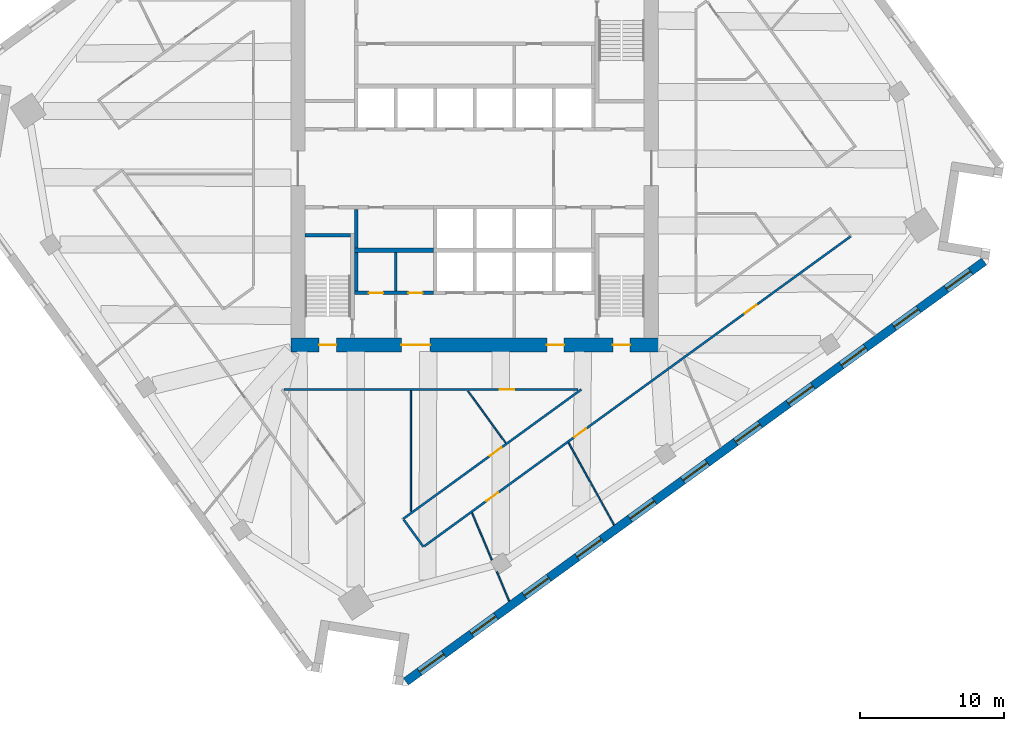
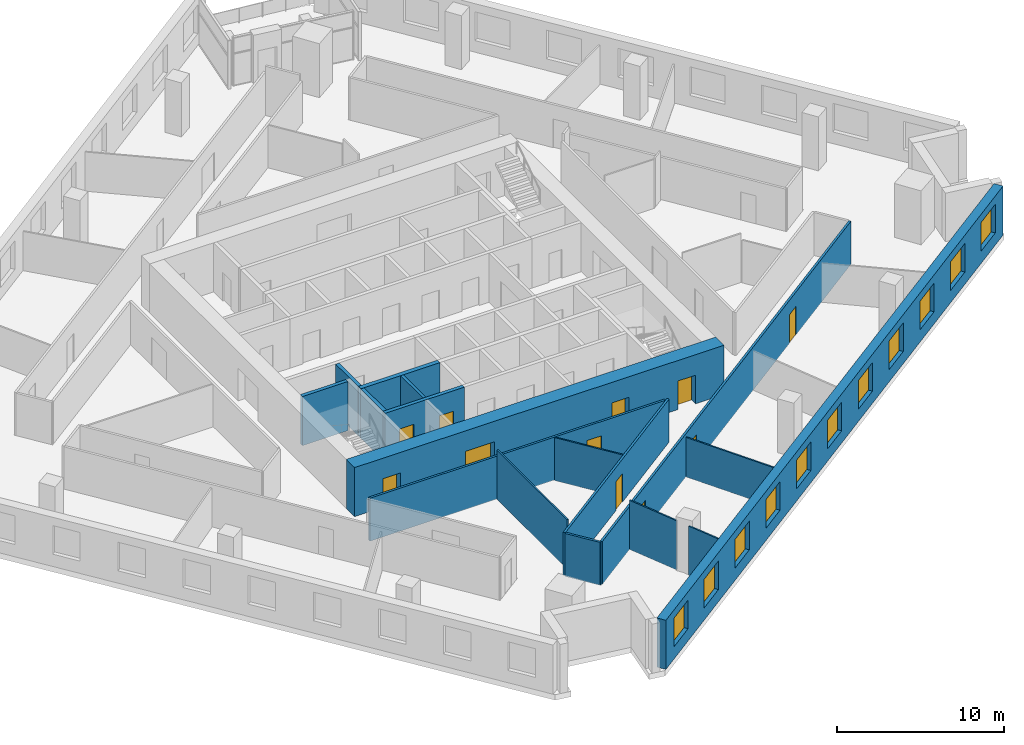
# One storey, part 5 of 11: 17 walls, 11 doors, 11 windows, 22 openings.
"""IFC4 building model written with IfcOpenShell, lengths in metres."""

from ifc_helpers import new_model, si_unit, direction, frame, frame_2d, origin, place, context, subcontext, project, spatial, rectangle, extrude, material, layer, layer_set, type_object, element, fill, save


model = new_model("IFC4")

# Units and contexts
model_context = context("Model", 3, precision=1e-05, world=origin(), true_north=direction((0.0, 1.0)))
body_context = subcontext(model_context, "Body", "Model", "MODEL_VIEW")
ifc_project = project(units=[si_unit("LENGTHUNIT", "METRE"), si_unit("AREAUNIT", "SQUARE_METRE"), si_unit("VOLUMEUNIT", "CUBIC_METRE"), si_unit("PLANEANGLEUNIT", "RADIAN"), si_unit("MASSUNIT", "GRAM", prefix="KILO")], contexts=[model_context])

# Site, building, storey
site_placement = place(None, origin())
site = spatial("IfcSite", under=ifc_project, at=site_placement, CompositionType="ELEMENT")
building_placement = place(site_placement, origin())
building = spatial("IfcBuilding", under=site, at=building_placement, Name="Dilmun Exchange Tower", CompositionType="ELEMENT")
storey_placement = place(building_placement, frame((0.0, 0.0, 171.699951171875)))
storey = spatial("IfcBuildingStorey", under=building, at=storey_placement, Name="L40", CompositionType="ELEMENT", Elevation=171.699951171875)

# Wall
ifc_material_1 = material(Name="Concrete C40/50", Category="concrete")
ifc_layer_1 = layer(ifc_material_1, 0.199951171875)
ifc_layer_set_1 = layer_set([ifc_layer_1], Name="Concrete C40/50")
wall_type_1 = type_object("IfcWallType", Name="Core partition wall 200", PredefinedType="PARTITIONING", material=ifc_layer_set_1)
wall_1_placement = place(storey_placement, frame((-5.5, -8.544921875, 0.0), z_axis=(0.0, 0.0, 1.0), x_axis=(0.0, 1.0, 0.0)))
element("IfcWall", 1, at=wall_1_placement, inside=storey, type_object=wall_type_1, Name="L40 core partition wall 05", PredefinedType="PARTITIONING", context=body_context, shape_type="SweptSolid", body=[
    extrude(rectangle(XDim=2.68994140625, YDim=0.199951171875, at=frame_2d((1.344970703125, 0.0))), origin(), (0.0, 0.0, 1.0), 3.60009765625),
])

# Wall, openings, doors
ifc_layer_2 = layer(ifc_material_1, 0.25)
ifc_layer_set_2 = layer_set([ifc_layer_2], Name="Concrete C40/50")
wall_type_2 = type_object("IfcWallType", Name="Core partition wall 250", PredefinedType="PARTITIONING", material=ifc_layer_set_2)
wall_2_placement = place(storey_placement, frame((-8.3701171875, -8.675048828125, 0.0), z_axis=(0.0, 0.0, 1.0), x_axis=(1.0, 0.0, 0.0)))
wall_2 = element("IfcWall", 2, at=wall_2_placement, inside=storey, type_object=wall_type_2, Name="L40 core partition wall 03", PredefinedType="PARTITIONING", context=body_context, shape_type="SweptSolid", body=[
    extrude(rectangle(XDim=5.490234375, YDim=0.25, at=frame_2d((2.7451171875, 0.0))), origin(), (0.0, 0.0, 1.0), 3.60009765625),
])
opening_1_placement = place(wall_2_placement, frame((0.9951171875, 0.0, 0.0)))
opening_1 = element("IfcOpeningElement", 3, at=opening_1_placement, cuts=wall_2, Name="Opening CD4", PredefinedType="OPENING", context=body_context, shape_type="SweptSolid", body=[
    extrude(rectangle(XDim=1.0, YDim=2.10009765625, at=frame_2d((0.5, 1.050048828125))), frame((0.0, 0.135009765625, 0.0), z_axis=(0.0, -1.0, 0.0), x_axis=(1.0, 0.0, 0.0)), (0.0, 0.0, 1.0), 0.27001953125),
])
opening_2_placement = place(wall_2_placement, frame((3.7451171875, 0.0, 0.0)))
opening_2 = element("IfcOpeningElement", 4, at=opening_2_placement, cuts=wall_2, Name="Opening CD4", PredefinedType="OPENING", context=body_context, shape_type="SweptSolid", body=[
    extrude(rectangle(XDim=1.0, YDim=2.10009765625, at=frame_2d((0.5, 1.050048828125))), frame((0.0, 0.135009765625, 0.0), z_axis=(0.0, -1.0, 0.0), x_axis=(1.0, 0.0, 0.0)), (0.0, 0.0, 1.0), 0.27001953125),
])
ifc_material_2 = material(Name="Fire-rated steel door set", Category="steel")
door_type_1 = type_object("IfcDoorType", Name="Core room door 1000x2100", OperationType="SINGLE_SWING_LEFT", PredefinedType="DOOR", material=ifc_material_2)
door_1_placement = place(opening_1_placement, origin())
door_1 = element("IfcDoor", 5, at=door_1_placement, inside=storey, type_object=door_type_1, Name="L40 door Male WC", OperationType="SINGLE_SWING_LEFT", OverallHeight=2.10009765625, OverallWidth=1.0, PredefinedType="DOOR", context=body_context, shape_type="SweptSolid", body=[
    extrude(rectangle(XDim=1.0, YDim=2.10009765625, at=frame_2d((0.5, 1.050048828125))), frame((0.0, 0.02490234375, 0.0), z_axis=(0.0, -1.0, 0.0), x_axis=(1.0, 0.0, 0.0)), (0.0, 0.0, 1.0), 0.050048828125),
])
fill(opening_1, door_1)
door_2_placement = place(opening_2_placement, origin())
door_2 = element("IfcDoor", 6, at=door_2_placement, inside=storey, type_object=door_type_1, Name="L40 door Female WC", OperationType="SINGLE_SWING_LEFT", OverallHeight=2.10009765625, OverallWidth=1.0, PredefinedType="DOOR", context=body_context, shape_type="SweptSolid", body=[
    extrude(rectangle(XDim=1.0, YDim=2.10009765625, at=frame_2d((0.5, 1.050048828125))), frame((0.0, 0.02490234375, 0.0), z_axis=(0.0, -1.0, 0.0), x_axis=(1.0, 0.0, 0.0)), (0.0, 0.0, 1.0), 0.050048828125),
])
fill(opening_2, door_2)

# Walls
for number, where, z_axis, x_axis, name in (
    (7, (-8.25, -8.544921875, 0.0), (0.0, 0.0, 1.0), (0.0, 1.0, 0.0), "L40 core partition wall 04"),
    (8, (-8.25, -5.544921875, 0.0), (0.0, 0.0, 1.0), (0.0, 1.0, 0.0), "L40 core partition wall 07"),
):
    element("IfcWall", number, at=place(storey_placement, frame(where, z_axis=z_axis, x_axis=x_axis)), inside=storey, type_object=wall_type_2, Name=name, PredefinedType="PARTITIONING", context=body_context, shape_type="SweptSolid", body=[
        extrude(rectangle(XDim=2.68994140625, YDim=0.25, at=frame_2d((1.344970703125, 0.0))), origin(), (0.0, 0.0, 1.0), 3.60009765625),
    ])
ifc_layer_3 = layer(ifc_material_1, 0.300048828125)
ifc_layer_set_3 = layer_set([ifc_layer_3], Name="Concrete C40/50")
wall_type_3 = type_object("IfcWallType", Name="Core partition wall 300", PredefinedType="PARTITIONING", material=ifc_layer_set_3)
wall_3_placement = place(storey_placement, frame((-8.35009765625, -5.699951171875, 0.0), z_axis=(0.0, 0.0, 1.0), x_axis=(1.0, 0.0, 0.0)))
element("IfcWall", 9, at=wall_3_placement, inside=storey, type_object=wall_type_3, Name="L40 core partition wall 06", PredefinedType="PARTITIONING", context=body_context, shape_type="SweptSolid", body=[
    extrude(rectangle(XDim=5.47021484375, YDim=0.300048828125, at=frame_2d((2.735107421875, 0.0))), origin(), (0.0, 0.0, 1.0), 3.60009765625),
])

# Wall, openings, doors
ifc_material_3 = material(Name="Concrete C70/85", Category="concrete")
ifc_layer_4 = layer(ifc_material_3, 1.0)
ifc_layer_set_4 = layer_set([ifc_layer_4], Name="Concrete C70/85")
wall_type_4 = type_object("IfcWallType", Name="Core shear wall 1000 Concrete C70/85", PredefinedType="SHEAR", material=ifc_layer_set_4)
wall_4_placement = place(storey_placement, frame((-12.800048828125, -12.300048828125, 0.0), z_axis=(0.0, 0.0, 1.0), x_axis=(1.0, 0.0, 0.0)))
wall_4 = element("IfcWall", 10, at=wall_4_placement, inside=storey, type_object=wall_type_4, Name="L40 core shear wall S", PredefinedType="SHEAR", context=body_context, shape_type="SweptSolid", body=[
    extrude(rectangle(XDim=25.60009765625, YDim=1.0, at=frame_2d((12.800048828125, 0.0))), origin(), (0.0, 0.0, 1.0), 3.60009765625),
])
opening_3_placement = place(wall_4_placement, frame((7.699951171875, 0.0, 0.0)))
opening_3 = element("IfcOpeningElement", 11, at=opening_3_placement, cuts=wall_4, Name="Opening CD2", PredefinedType="OPENING", context=body_context, shape_type="SweptSolid", body=[
    extrude(rectangle(XDim=2.0, YDim=2.10009765625, at=frame_2d((1.0, 1.050048828125))), frame((0.0, 0.510009765625, 0.0), z_axis=(0.0, -1.0, 0.0), x_axis=(1.0, 0.0, 0.0)), (0.0, 0.0, 1.0), 1.02001953125),
])
opening_4_placement = place(wall_4_placement, frame((17.824951171875, 0.0, 0.0)))
opening_4 = element("IfcOpeningElement", 12, at=opening_4_placement, cuts=wall_4, Name="Opening CD3", PredefinedType="OPENING", context=body_context, shape_type="SweptSolid", body=[
    extrude(rectangle(XDim=1.199951171875, YDim=2.10009765625, at=frame_2d((0.60009765625, 1.050048828125))), frame((0.0, 0.510009765625, 0.0), z_axis=(0.0, -1.0, 0.0), x_axis=(1.0, 0.0, 0.0)), (0.0, 0.0, 1.0), 1.02001953125),
])
opening_5_placement = place(wall_4_placement, frame((1.97509765625, 0.0, 0.0)))
opening_5 = element("IfcOpeningElement", 13, at=opening_5_placement, cuts=wall_4, Name="Opening CD3", PredefinedType="OPENING", context=body_context, shape_type="SweptSolid", body=[
    extrude(rectangle(XDim=1.199951171875, YDim=2.10009765625, at=frame_2d((0.60009765625, 1.050048828125))), frame((0.0, 0.510009765625, 0.0), z_axis=(0.0, -1.0, 0.0), x_axis=(1.0, 0.0, 0.0)), (0.0, 0.0, 1.0), 1.02001953125),
])
opening_6_placement = place(wall_4_placement, frame((22.425048828125, 0.0, 0.0)))
opening_6 = element("IfcOpeningElement", 14, at=opening_6_placement, cuts=wall_4, Name="Opening CD3", PredefinedType="OPENING", context=body_context, shape_type="SweptSolid", body=[
    extrude(rectangle(XDim=1.199951171875, YDim=2.10009765625, at=frame_2d((0.60009765625, 1.050048828125))), frame((0.0, 0.510009765625, 0.0), z_axis=(0.0, -1.0, 0.0), x_axis=(1.0, 0.0, 0.0)), (0.0, 0.0, 1.0), 1.02001953125),
])
door_type_2 = type_object("IfcDoorType", Name="Core service door 2000x2100", OperationType="DOUBLE_DOOR_DOUBLE_SWING", PredefinedType="DOOR", material=ifc_material_2)
door_3_placement = place(opening_3_placement, origin())
door_3 = element("IfcDoor", 15, at=door_3_placement, inside=storey, type_object=door_type_2, Name="L40 door South service lobby", OperationType="SINGLE_SWING_LEFT", OverallHeight=2.10009765625, OverallWidth=2.0, PredefinedType="DOOR", context=body_context, shape_type="SweptSolid", body=[
    extrude(rectangle(XDim=2.0, YDim=2.10009765625, at=frame_2d((1.0, 1.050048828125))), frame((0.0, 0.02490234375, 0.0), z_axis=(0.0, -1.0, 0.0), x_axis=(1.0, 0.0, 0.0)), (0.0, 0.0, 1.0), 0.050048828125),
])
fill(opening_3, door_3)
door_type_3 = type_object("IfcDoorType", Name="Stair exit door 1200x2100", OperationType="SINGLE_SWING_LEFT", PredefinedType="DOOR", material=ifc_material_2)
door_4_placement = place(opening_4_placement, origin())
door_4 = element("IfcDoor", 16, at=door_4_placement, inside=storey, type_object=door_type_3, Name="L40 door Fire-fighting lobby", OperationType="SINGLE_SWING_LEFT", OverallHeight=2.10009765625, OverallWidth=1.199951171875, PredefinedType="DOOR", context=body_context, shape_type="SweptSolid", body=[
    extrude(rectangle(XDim=1.199951171875, YDim=2.10009765625, at=frame_2d((0.60009765625, 1.050048828125))), frame((0.0, 0.02490234375, 0.0), z_axis=(0.0, -1.0, 0.0), x_axis=(1.0, 0.0, 0.0)), (0.0, 0.0, 1.0), 0.050048828125),
])
fill(opening_4, door_4)
door_5_placement = place(opening_5_placement, origin())
door_5 = element("IfcDoor", 17, at=door_5_placement, inside=storey, type_object=door_type_3, Name="L40 door Stair ST2", OperationType="SINGLE_SWING_LEFT", OverallHeight=2.10009765625, OverallWidth=1.199951171875, PredefinedType="DOOR", context=body_context, shape_type="SweptSolid", body=[
    extrude(rectangle(XDim=1.199951171875, YDim=2.10009765625, at=frame_2d((0.60009765625, 1.050048828125))), frame((0.0, 0.02490234375, 0.0), z_axis=(0.0, -1.0, 0.0), x_axis=(1.0, 0.0, 0.0)), (0.0, 0.0, 1.0), 0.050048828125),
])
fill(opening_5, door_5)
door_6_placement = place(opening_6_placement, origin())
door_6 = element("IfcDoor", 18, at=door_6_placement, inside=storey, type_object=door_type_3, Name="L40 door Stair ST3", OperationType="SINGLE_SWING_LEFT", OverallHeight=2.10009765625, OverallWidth=1.199951171875, PredefinedType="DOOR", context=body_context, shape_type="SweptSolid", body=[
    extrude(rectangle(XDim=1.199951171875, YDim=2.10009765625, at=frame_2d((0.60009765625, 1.050048828125))), frame((0.0, 0.02490234375, 0.0), z_axis=(0.0, -1.0, 0.0), x_axis=(1.0, 0.0, 0.0)), (0.0, 0.0, 1.0), 0.050048828125),
])
fill(opening_6, door_6)

# Wall, opening, door
ifc_material_4 = material(Name="Corridor wall 150")
ifc_layer_5 = layer(ifc_material_4, 0.14990234375)
ifc_layer_set_5 = layer_set([ifc_layer_5], Name="Corridor wall 150")
wall_type_5 = type_object("IfcWallType", Name="Corridor wall 150", PredefinedType="PARTITIONING", material=ifc_layer_set_5)
wall_5_placement = place(storey_placement, frame((-13.288818359375, -15.39990234375, 0.0), z_axis=(0.0, 0.0, 1.0), x_axis=(1.0, 0.0, 0.0)))
wall_5 = element("IfcWall", 19, at=wall_5_placement, inside=storey, type_object=wall_type_5, Name="Corridor wall", PredefinedType="PARTITIONING", context=body_context, shape_type="SweptSolid", body=[
    extrude(rectangle(XDim=20.47998046875, YDim=0.14990234375, at=frame_2d((10.239990234375, 0.0))), origin(), (0.0, 0.0, 1.0), 3.150146484375),
])
opening_7_placement = place(wall_5_placement, frame((15.041259765625, 0.0, 0.0)))
opening_7 = element("IfcOpeningElement", 20, at=opening_7_placement, cuts=wall_5, Name="Opening TF38-D11", PredefinedType="OPENING", context=body_context, shape_type="SweptSolid", body=[
    extrude(rectangle(XDim=1.0, YDim=2.10009765625, at=frame_2d((0.5, 1.050048828125))), frame((0.0, 0.0849609375, 0.0), z_axis=(0.0, -1.0, 0.0), x_axis=(1.0, 0.0, 0.0)), (0.0, 0.0, 1.0), 0.169921875),
])
ifc_material_5 = material(Name="Fire door 1000 x 2100")
door_type_4 = type_object("IfcDoorType", Name="Fire door 1000 x 2100", OperationType="NOTDEFINED", PredefinedType="DOOR", material=ifc_material_5)
door_7_placement = place(opening_7_placement, frame((1.0, 0.0, 0.0), z_axis=(0.0, 0.0, 1.0), x_axis=(-1.0, 0.0, 0.0)))
door_7 = element("IfcDoor", 21, at=door_7_placement, inside=storey, type_object=door_type_4, Name="Door TF38-D11", OperationType="SINGLE_SWING_LEFT", OverallHeight=2.10009765625, OverallWidth=1.0, PredefinedType="DOOR", context=body_context, shape_type="SweptSolid", body=[
    extrude(rectangle(XDim=1.0, YDim=2.10009765625, at=frame_2d((0.5, 1.050048828125))), frame((0.0, 0.02490234375, 0.0), z_axis=(0.0, -1.0, 0.0), x_axis=(1.0, 0.0, 0.0)), (0.0, 0.0, 1.0), 0.050048828125),
])
fill(opening_7, door_7)

wall_6_placement = place(storey_placement, frame((-4.97998046875, -24.410888671875, 0.0), z_axis=(0.0, 0.0, 1.0), x_axis=(0.809006648498, 0.587799491907, 0.0)))
wall_6 = element("IfcWall", 22, at=wall_6_placement, inside=storey, type_object=wall_type_5, Name="Corridor wall", PredefinedType="PARTITIONING", context=body_context, shape_type="SweptSolid", body=[
    extrude(rectangle(XDim=15.330078125, YDim=0.14990234375, at=frame_2d((7.6650390625, 0.0))), origin(), (0.0, 0.0, 1.0), 3.150146484375),
])
opening_8_placement = place(wall_6_placement, frame((7.46435546875, 0.0, 0.0)))
opening_8 = element("IfcOpeningElement", 23, at=opening_8_placement, cuts=wall_6, Name="Opening TF38-D09", PredefinedType="OPENING", context=body_context, shape_type="SweptSolid", body=[
    extrude(rectangle(XDim=1.0, YDim=2.10009765625, at=frame_2d((0.5, 1.050048828125))), frame((0.0, 0.0849609375, 0.0), z_axis=(0.0, -1.0, 0.0), x_axis=(1.0, 0.0, 0.0)), (0.0, 0.0, 1.0), 0.169921875),
])
door_8_placement = place(opening_8_placement, origin())
door_8 = element("IfcDoor", 24, at=door_8_placement, inside=storey, type_object=door_type_4, Name="Door TF38-D09", OperationType="SINGLE_SWING_RIGHT", OverallHeight=2.10009765625, OverallWidth=1.0, PredefinedType="DOOR", context=body_context, shape_type="SweptSolid", body=[
    extrude(rectangle(XDim=1.0, YDim=2.10009765625, at=frame_2d((0.5, 1.050048828125))), frame((0.0, 0.02490234375, 0.0), z_axis=(0.0, -1.0, 0.0), x_axis=(1.0, 0.0, 0.0)), (0.0, 0.0, 1.0), 0.050048828125),
])
fill(opening_8, door_8)

# Wall
wall_7_placement = place(storey_placement, frame((-4.935791015625, -24.4716796875, 0.0), z_axis=(0.0, 0.0, 1.0), x_axis=(0.5874596315, -0.809253471638, 0.0)))
element("IfcWall", 25, at=wall_7_placement, inside=storey, type_object=wall_type_5, Name="Corridor wall", PredefinedType="PARTITIONING", context=body_context, shape_type="SweptSolid", body=[
    extrude(rectangle(XDim=2.32470703125, YDim=0.14990234375, at=frame_2d((1.162353515625, 0.0))), origin(), (0.0, 0.0, 1.0), 3.150146484375),
])

# Wall, openings, doors
wall_8_placement = place(storey_placement, frame((-3.50927734375, -26.308837890625, 0.0), z_axis=(0.0, 0.0, 1.0), x_axis=(0.809024097608, 0.587775475407, 0.0)))
wall_8 = element("IfcWall", 26, at=wall_8_placement, inside=storey, type_object=wall_type_5, Name="Corridor wall", PredefinedType="PARTITIONING", context=body_context, shape_type="SweptSolid", body=[
    extrude(rectangle(XDim=36.680419921875, YDim=0.14990234375, at=frame_2d((18.34033203125, 0.0))), origin(), (0.0, 0.0, 1.0), 3.150146484375),
])
opening_9_placement = place(wall_8_placement, frame((5.361328125, 0.0, 0.0)))
opening_9 = element("IfcOpeningElement", 27, at=opening_9_placement, cuts=wall_8, Name="Opening TF38-D12", PredefinedType="OPENING", context=body_context, shape_type="SweptSolid", body=[
    extrude(rectangle(XDim=1.0, YDim=2.10009765625, at=frame_2d((0.5, 1.050048828125))), frame((0.0, 0.0849609375, 0.0), z_axis=(0.0, -1.0, 0.0), x_axis=(1.0, 0.0, 0.0)), (0.0, 0.0, 1.0), 0.169921875),
])
opening_10_placement = place(wall_8_placement, frame((12.9130859375, 0.0, 0.0)))
opening_10 = element("IfcOpeningElement", 28, at=opening_10_placement, cuts=wall_8, Name="Opening TF38-D15", PredefinedType="OPENING", context=body_context, shape_type="SweptSolid", body=[
    extrude(rectangle(XDim=1.0, YDim=2.10009765625, at=frame_2d((0.5, 1.050048828125))), frame((0.0, 0.0849609375, 0.0), z_axis=(0.0, -1.0, 0.0), x_axis=(1.0, 0.0, 0.0)), (0.0, 0.0, 1.0), 0.169921875),
])
opening_11_placement = place(wall_8_placement, frame((27.57568359375, 0.0, 0.0)))
opening_11 = element("IfcOpeningElement", 29, at=opening_11_placement, cuts=wall_8, Name="Opening TF38-D18", PredefinedType="OPENING", context=body_context, shape_type="SweptSolid", body=[
    extrude(rectangle(XDim=1.0, YDim=2.10009765625, at=frame_2d((0.5, 1.050048828125))), frame((0.0, 0.0849609375, 0.0), z_axis=(0.0, -1.0, 0.0), x_axis=(1.0, 0.0, 0.0)), (0.0, 0.0, 1.0), 0.169921875),
])
door_9_placement = place(opening_9_placement, frame((1.0, 0.0, 0.0), z_axis=(0.0, 0.0, 1.0), x_axis=(-1.0, 0.0, 0.0)))
door_9 = element("IfcDoor", 30, at=door_9_placement, inside=storey, type_object=door_type_4, Name="Door TF38-D12", OperationType="SINGLE_SWING_LEFT", OverallHeight=2.10009765625, OverallWidth=1.0, PredefinedType="DOOR", context=body_context, shape_type="SweptSolid", body=[
    extrude(rectangle(XDim=1.0, YDim=2.10009765625, at=frame_2d((0.5, 1.050048828125))), frame((0.0, 0.02490234375, 0.0), z_axis=(0.0, -1.0, 0.0), x_axis=(1.0, 0.0, 0.0)), (0.0, 0.0, 1.0), 0.050048828125),
])
fill(opening_9, door_9)
door_10_placement = place(opening_10_placement, frame((1.0, 0.0, 0.0), z_axis=(0.0, 0.0, 1.0), x_axis=(-1.0, 0.0, 0.0)))
door_10 = element("IfcDoor", 31, at=door_10_placement, inside=storey, type_object=door_type_4, Name="Door TF38-D15", OperationType="SINGLE_SWING_RIGHT", OverallHeight=2.10009765625, OverallWidth=1.0, PredefinedType="DOOR", context=body_context, shape_type="SweptSolid", body=[
    extrude(rectangle(XDim=1.0, YDim=2.10009765625, at=frame_2d((0.5, 1.050048828125))), frame((0.0, 0.02490234375, 0.0), z_axis=(0.0, -1.0, 0.0), x_axis=(1.0, 0.0, 0.0)), (0.0, 0.0, 1.0), 0.050048828125),
])
fill(opening_10, door_10)
door_11_placement = place(opening_11_placement, frame((1.0, 0.0, 0.0), z_axis=(0.0, 0.0, 1.0), x_axis=(-1.0, 0.0, 0.0)))
door_11 = element("IfcDoor", 32, at=door_11_placement, inside=storey, type_object=door_type_4, Name="Door TF38-D18", OperationType="SINGLE_SWING_RIGHT", OverallHeight=2.10009765625, OverallWidth=1.0, PredefinedType="DOOR", context=body_context, shape_type="SweptSolid", body=[
    extrude(rectangle(XDim=1.0, YDim=2.10009765625, at=frame_2d((0.5, 1.050048828125))), frame((0.0, 0.02490234375, 0.0), z_axis=(0.0, -1.0, 0.0), x_axis=(1.0, 0.0, 0.0)), (0.0, 0.0, 1.0), 0.050048828125),
])
fill(opening_11, door_11)

# Walls
ifc_material_6 = material(Name="Partition 100")
ifc_layer_6 = layer(ifc_material_6, 0.10009765625)
ifc_layer_set_6 = layer_set([ifc_layer_6], Name="Partition 100")
wall_type_6 = type_object("IfcWallType", Name="Partition 100", PredefinedType="PARTITIONING", material=ifc_layer_set_6)
wall_9_placement = place(storey_placement, frame((-4.443115234375, -23.89208984375, 0.0), z_axis=(0.0, 0.0, 1.0), x_axis=(0.0, 1.0, 0.0)))
element("IfcWall", 33, at=wall_9_placement, inside=storey, type_object=wall_type_6, Name="Partition", PredefinedType="PARTITIONING", context=body_context, shape_type="SweptSolid", body=[
    extrude(rectangle(XDim=8.4169921875, YDim=0.10009765625, at=frame_2d((4.20849609375, 0.0))), origin(), (0.0, 0.0, 1.0), 3.60009765625),
])
wall_10_placement = place(storey_placement, frame((-0.47216796875, -15.50439453125, 0.0), z_axis=(0.0, 0.0, 1.0), x_axis=(0.587831486694, -0.808983401097, 0.0)))
element("IfcWall", 34, at=wall_10_placement, inside=storey, type_object=wall_type_6, Name="Partition", PredefinedType="PARTITIONING", context=body_context, shape_type="SweptSolid", body=[
    extrude(rectangle(XDim=4.48095703125, YDim=0.10009765625, at=frame_2d((2.240478515625, 0.0))), origin(), (0.0, 0.0, 1.0), 3.150146484375),
])
wall_11_placement = place(storey_placement, frame((-0.181640625, -23.997802734375, 0.0), z_axis=(0.0, 0.0, 1.0), x_axis=(0.388072383156, -0.921628897893, 0.0)))
element("IfcWall", 35, at=wall_11_placement, inside=storey, type_object=wall_type_6, Name="Partition", PredefinedType="PARTITIONING", context=body_context, shape_type="SweptSolid", body=[
    extrude(rectangle(XDim=3.547607421875, YDim=0.10009765625, at=frame_2d((1.77392578125, 0.0))), origin(), (0.0, 0.0, 1.0), 3.60009765625),
])
wall_12_placement = place(storey_placement, frame((1.541015625, -28.089111328125, 0.0), z_axis=(0.0, 0.0, 1.0), x_axis=(0.388007971135, -0.92165601736, 0.0)))
element("IfcWall", 36, at=wall_12_placement, inside=storey, type_object=wall_type_6, Name="Partition", PredefinedType="PARTITIONING", context=body_context, shape_type="SweptSolid", body=[
    extrude(rectangle(XDim=2.22607421875, YDim=0.10009765625, at=frame_2d((1.113037109375, 0.0))), origin(), (0.0, 0.0, 1.0), 3.60009765625),
])
wall_13_placement = place(storey_placement, frame((6.53662109375, -19.110595703125, 0.0), z_axis=(0.0, 0.0, 1.0), x_axis=(0.484305684631, -0.874898853488, 0.0)))
element("IfcWall", 37, at=wall_13_placement, inside=storey, type_object=wall_type_6, Name="Partition", PredefinedType="PARTITIONING", context=body_context, shape_type="SweptSolid", body=[
    extrude(rectangle(XDim=6.544189453125, YDim=0.10009765625, at=frame_2d((3.27197265625, 0.0))), origin(), (0.0, 0.0, 1.0), 2.900146484375),
])

# Wall, openings, windows
ifc_material_7 = material(Name="Precast concrete C50/60", Category="concrete")
ifc_layer_7 = layer(ifc_material_7, 0.60009765625)
ifc_layer_set_7 = layer_set([ifc_layer_7], Name="Precast concrete C50/60")
wall_type_7 = type_object("IfcWallType", Name="Precast stone-clad wall 600", PredefinedType="STANDARD", material=ifc_layer_set_7)
wall_14_placement = place(storey_placement, frame((-4.78369140625, -35.73681640625, 0.0), z_axis=(0.0, 0.0, 1.0), x_axis=(0.809019283075, 0.587782102154, 0.0)))
wall_14 = element("IfcWall", 38, at=wall_14_placement, inside=storey, type_object=wall_type_7, Name="Facade wall L40-15", PredefinedType="STANDARD", context=body_context, shape_type="SweptSolid", body=[
    extrude(rectangle(XDim=49.751220703125, YDim=0.60009765625, at=frame_2d((24.87548828125, 0.0))), origin(), (0.0, 0.0, 1.0), 3.60009765625),
])
opening_12_placement = place(wall_14_placement, frame((1.16064453125, 0.0, 0.89990234375)))
opening_12 = element("IfcOpeningElement", 39, at=opening_12_placement, cuts=wall_14, Name="Opening W210-210", PredefinedType="OPENING", context=body_context, shape_type="SweptSolid", body=[
    extrude(rectangle(XDim=2.10009765625, YDim=2.10009765625, at=frame_2d((1.050048828125, 1.050048828125))), frame((0.0, 0.31005859375, 0.0), z_axis=(0.0, -1.0, 0.0), x_axis=(1.0, 0.0, 0.0)), (0.0, 0.0, 1.0), 0.6201171875),
])
opening_13_placement = place(wall_14_placement, frame((5.643798828125, 0.0, 0.89990234375)))
opening_13 = element("IfcOpeningElement", 40, at=opening_13_placement, cuts=wall_14, Name="Opening W210-210", PredefinedType="OPENING", context=body_context, shape_type="SweptSolid", body=[
    extrude(rectangle(XDim=2.10009765625, YDim=2.10009765625, at=frame_2d((1.050048828125, 1.050048828125))), frame((0.0, 0.31005859375, 0.0), z_axis=(0.0, -1.0, 0.0), x_axis=(1.0, 0.0, 0.0)), (0.0, 0.0, 1.0), 0.6201171875),
])
opening_14_placement = place(wall_14_placement, frame((10.189453125, 0.0, 0.89990234375)))
opening_14 = element("IfcOpeningElement", 41, at=opening_14_placement, cuts=wall_14, Name="Opening W210-210", PredefinedType="OPENING", context=body_context, shape_type="SweptSolid", body=[
    extrude(rectangle(XDim=2.10009765625, YDim=2.10009765625, at=frame_2d((1.050048828125, 1.050048828125))), frame((0.0, 0.31005859375, 0.0), z_axis=(0.0, -1.0, 0.0), x_axis=(1.0, 0.0, 0.0)), (0.0, 0.0, 1.0), 0.6201171875),
])
opening_15_placement = place(wall_14_placement, frame((14.73486328125, 0.0, 0.89990234375)))
opening_15 = element("IfcOpeningElement", 42, at=opening_15_placement, cuts=wall_14, Name="Opening W210-210", PredefinedType="OPENING", context=body_context, shape_type="SweptSolid", body=[
    extrude(rectangle(XDim=2.10009765625, YDim=2.10009765625, at=frame_2d((1.050048828125, 1.050048828125))), frame((0.0, 0.31005859375, 0.0), z_axis=(0.0, -1.0, 0.0), x_axis=(1.0, 0.0, 0.0)), (0.0, 0.0, 1.0), 0.6201171875),
])
opening_16_placement = place(wall_14_placement, frame((19.2802734375, 0.0, 0.89990234375)))
opening_16 = element("IfcOpeningElement", 43, at=opening_16_placement, cuts=wall_14, Name="Opening W210-210", PredefinedType="OPENING", context=body_context, shape_type="SweptSolid", body=[
    extrude(rectangle(XDim=2.10009765625, YDim=2.10009765625, at=frame_2d((1.050048828125, 1.050048828125))), frame((0.0, 0.31005859375, 0.0), z_axis=(0.0, -1.0, 0.0), x_axis=(1.0, 0.0, 0.0)), (0.0, 0.0, 1.0), 0.6201171875),
])
opening_17_placement = place(wall_14_placement, frame((23.82568359375, 0.0, 0.89990234375)))
opening_17 = element("IfcOpeningElement", 44, at=opening_17_placement, cuts=wall_14, Name="Opening W210-210", PredefinedType="OPENING", context=body_context, shape_type="SweptSolid", body=[
    extrude(rectangle(XDim=2.10009765625, YDim=2.10009765625, at=frame_2d((1.050048828125, 1.050048828125))), frame((0.0, 0.31005859375, 0.0), z_axis=(0.0, -1.0, 0.0), x_axis=(1.0, 0.0, 0.0)), (0.0, 0.0, 1.0), 0.6201171875),
])
opening_18_placement = place(wall_14_placement, frame((28.37109375, 0.0, 0.89990234375)))
opening_18 = element("IfcOpeningElement", 45, at=opening_18_placement, cuts=wall_14, Name="Opening W210-210", PredefinedType="OPENING", context=body_context, shape_type="SweptSolid", body=[
    extrude(rectangle(XDim=2.10009765625, YDim=2.10009765625, at=frame_2d((1.050048828125, 1.050048828125))), frame((0.0, 0.31005859375, 0.0), z_axis=(0.0, -1.0, 0.0), x_axis=(1.0, 0.0, 0.0)), (0.0, 0.0, 1.0), 0.6201171875),
])
opening_19_placement = place(wall_14_placement, frame((32.91650390625, 0.0, 0.89990234375)))
opening_19 = element("IfcOpeningElement", 46, at=opening_19_placement, cuts=wall_14, Name="Opening W210-210", PredefinedType="OPENING", context=body_context, shape_type="SweptSolid", body=[
    extrude(rectangle(XDim=2.10009765625, YDim=2.10009765625, at=frame_2d((1.050048828125, 1.050048828125))), frame((0.0, 0.31005859375, 0.0), z_axis=(0.0, -1.0, 0.0), x_axis=(1.0, 0.0, 0.0)), (0.0, 0.0, 1.0), 0.6201171875),
])
opening_20_placement = place(wall_14_placement, frame((37.462158203125, 0.0, 0.89990234375)))
opening_20 = element("IfcOpeningElement", 47, at=opening_20_placement, cuts=wall_14, Name="Opening W210-210", PredefinedType="OPENING", context=body_context, shape_type="SweptSolid", body=[
    extrude(rectangle(XDim=2.10009765625, YDim=2.10009765625, at=frame_2d((1.050048828125, 1.050048828125))), frame((0.0, 0.31005859375, 0.0), z_axis=(0.0, -1.0, 0.0), x_axis=(1.0, 0.0, 0.0)), (0.0, 0.0, 1.0), 0.6201171875),
])
opening_21_placement = place(wall_14_placement, frame((42.007568359375, 0.0, 0.89990234375)))
opening_21 = element("IfcOpeningElement", 48, at=opening_21_placement, cuts=wall_14, Name="Opening W210-210", PredefinedType="OPENING", context=body_context, shape_type="SweptSolid", body=[
    extrude(rectangle(XDim=2.10009765625, YDim=2.10009765625, at=frame_2d((1.050048828125, 1.050048828125))), frame((0.0, 0.31005859375, 0.0), z_axis=(0.0, -1.0, 0.0), x_axis=(1.0, 0.0, 0.0)), (0.0, 0.0, 1.0), 0.6201171875),
])
opening_22_placement = place(wall_14_placement, frame((46.490966796875, 0.0, 0.89990234375)))
opening_22 = element("IfcOpeningElement", 49, at=opening_22_placement, cuts=wall_14, Name="Opening W210-210", PredefinedType="OPENING", context=body_context, shape_type="SweptSolid", body=[
    extrude(rectangle(XDim=2.10009765625, YDim=2.10009765625, at=frame_2d((1.050048828125, 1.050048828125))), frame((0.0, 0.31005859375, 0.0), z_axis=(0.0, -1.0, 0.0), x_axis=(1.0, 0.0, 0.0)), (0.0, 0.0, 1.0), 0.6201171875),
])
ifc_material_8 = material(Name="Clear low-emissivity glass in aluminium frame", Category="aluminium")
window_type = type_object("IfcWindowType", Name="Punched window 2100 x 2100", PartitioningType="DOUBLE_PANEL_VERTICAL", PredefinedType="WINDOW", material=ifc_material_8)
window_1_placement = place(opening_12_placement, origin())
window_1 = element("IfcWindow", 50, at=window_1_placement, inside=storey, type_object=window_type, Name="Window 16.1", OverallHeight=2.10009765625, OverallWidth=2.10009765625, PartitioningType="SINGLE_PANEL", PredefinedType="WINDOW", context=body_context, shape_type="SweptSolid", body=[
    extrude(rectangle(XDim=2.10009765625, YDim=2.10009765625, at=frame_2d((1.050048828125, 1.050048828125))), frame((0.0, 0.030029296875, 0.0), z_axis=(0.0, -1.0, 0.0), x_axis=(1.0, 0.0, 0.0)), (0.0, 0.0, 1.0), 0.06005859375),
])
fill(opening_12, window_1)
window_2_placement = place(opening_13_placement, origin())
window_2 = element("IfcWindow", 51, at=window_2_placement, inside=storey, type_object=window_type, Name="Window 16.2", OverallHeight=2.10009765625, OverallWidth=2.10009765625, PartitioningType="SINGLE_PANEL", PredefinedType="WINDOW", context=body_context, shape_type="SweptSolid", body=[
    extrude(rectangle(XDim=2.10009765625, YDim=2.10009765625, at=frame_2d((1.050048828125, 1.050048828125))), frame((0.0, 0.030029296875, 0.0), z_axis=(0.0, -1.0, 0.0), x_axis=(1.0, 0.0, 0.0)), (0.0, 0.0, 1.0), 0.06005859375),
])
fill(opening_13, window_2)
window_3_placement = place(opening_14_placement, origin())
window_3 = element("IfcWindow", 52, at=window_3_placement, inside=storey, type_object=window_type, Name="Window 16.3", OverallHeight=2.10009765625, OverallWidth=2.10009765625, PartitioningType="SINGLE_PANEL", PredefinedType="WINDOW", context=body_context, shape_type="SweptSolid", body=[
    extrude(rectangle(XDim=2.10009765625, YDim=2.10009765625, at=frame_2d((1.050048828125, 1.050048828125))), frame((0.0, 0.030029296875, 0.0), z_axis=(0.0, -1.0, 0.0), x_axis=(1.0, 0.0, 0.0)), (0.0, 0.0, 1.0), 0.06005859375),
])
fill(opening_14, window_3)
window_4_placement = place(opening_15_placement, origin())
window_4 = element("IfcWindow", 53, at=window_4_placement, inside=storey, type_object=window_type, Name="Window 16.4", OverallHeight=2.10009765625, OverallWidth=2.10009765625, PartitioningType="SINGLE_PANEL", PredefinedType="WINDOW", context=body_context, shape_type="SweptSolid", body=[
    extrude(rectangle(XDim=2.10009765625, YDim=2.10009765625, at=frame_2d((1.050048828125, 1.050048828125))), frame((0.0, 0.030029296875, 0.0), z_axis=(0.0, -1.0, 0.0), x_axis=(1.0, 0.0, 0.0)), (0.0, 0.0, 1.0), 0.06005859375),
])
fill(opening_15, window_4)
window_5_placement = place(opening_16_placement, origin())
window_5 = element("IfcWindow", 54, at=window_5_placement, inside=storey, type_object=window_type, Name="Window 16.5", OverallHeight=2.10009765625, OverallWidth=2.10009765625, PartitioningType="SINGLE_PANEL", PredefinedType="WINDOW", context=body_context, shape_type="SweptSolid", body=[
    extrude(rectangle(XDim=2.10009765625, YDim=2.10009765625, at=frame_2d((1.050048828125, 1.050048828125))), frame((0.0, 0.030029296875, 0.0), z_axis=(0.0, -1.0, 0.0), x_axis=(1.0, 0.0, 0.0)), (0.0, 0.0, 1.0), 0.06005859375),
])
fill(opening_16, window_5)
window_6_placement = place(opening_17_placement, origin())
window_6 = element("IfcWindow", 55, at=window_6_placement, inside=storey, type_object=window_type, Name="Window 16.6", OverallHeight=2.10009765625, OverallWidth=2.10009765625, PartitioningType="SINGLE_PANEL", PredefinedType="WINDOW", context=body_context, shape_type="SweptSolid", body=[
    extrude(rectangle(XDim=2.10009765625, YDim=2.10009765625, at=frame_2d((1.050048828125, 1.050048828125))), frame((0.0, 0.030029296875, 0.0), z_axis=(0.0, -1.0, 0.0), x_axis=(1.0, 0.0, 0.0)), (0.0, 0.0, 1.0), 0.06005859375),
])
fill(opening_17, window_6)
window_7_placement = place(opening_18_placement, origin())
window_7 = element("IfcWindow", 56, at=window_7_placement, inside=storey, type_object=window_type, Name="Window 16.7", OverallHeight=2.10009765625, OverallWidth=2.10009765625, PartitioningType="SINGLE_PANEL", PredefinedType="WINDOW", context=body_context, shape_type="SweptSolid", body=[
    extrude(rectangle(XDim=2.10009765625, YDim=2.10009765625, at=frame_2d((1.050048828125, 1.050048828125))), frame((0.0, 0.030029296875, 0.0), z_axis=(0.0, -1.0, 0.0), x_axis=(1.0, 0.0, 0.0)), (0.0, 0.0, 1.0), 0.06005859375),
])
fill(opening_18, window_7)
window_8_placement = place(opening_19_placement, origin())
window_8 = element("IfcWindow", 57, at=window_8_placement, inside=storey, type_object=window_type, Name="Window 16.8", OverallHeight=2.10009765625, OverallWidth=2.10009765625, PartitioningType="SINGLE_PANEL", PredefinedType="WINDOW", context=body_context, shape_type="SweptSolid", body=[
    extrude(rectangle(XDim=2.10009765625, YDim=2.10009765625, at=frame_2d((1.050048828125, 1.050048828125))), frame((0.0, 0.030029296875, 0.0), z_axis=(0.0, -1.0, 0.0), x_axis=(1.0, 0.0, 0.0)), (0.0, 0.0, 1.0), 0.06005859375),
])
fill(opening_19, window_8)
window_9_placement = place(opening_20_placement, origin())
window_9 = element("IfcWindow", 58, at=window_9_placement, inside=storey, type_object=window_type, Name="Window 16.9", OverallHeight=2.10009765625, OverallWidth=2.10009765625, PartitioningType="SINGLE_PANEL", PredefinedType="WINDOW", context=body_context, shape_type="SweptSolid", body=[
    extrude(rectangle(XDim=2.10009765625, YDim=2.10009765625, at=frame_2d((1.050048828125, 1.050048828125))), frame((0.0, 0.030029296875, 0.0), z_axis=(0.0, -1.0, 0.0), x_axis=(1.0, 0.0, 0.0)), (0.0, 0.0, 1.0), 0.06005859375),
])
fill(opening_20, window_9)
window_10_placement = place(opening_21_placement, origin())
window_10 = element("IfcWindow", 59, at=window_10_placement, inside=storey, type_object=window_type, Name="Window 16.10", OverallHeight=2.10009765625, OverallWidth=2.10009765625, PartitioningType="SINGLE_PANEL", PredefinedType="WINDOW", context=body_context, shape_type="SweptSolid", body=[
    extrude(rectangle(XDim=2.10009765625, YDim=2.10009765625, at=frame_2d((1.050048828125, 1.050048828125))), frame((0.0, 0.030029296875, 0.0), z_axis=(0.0, -1.0, 0.0), x_axis=(1.0, 0.0, 0.0)), (0.0, 0.0, 1.0), 0.06005859375),
])
fill(opening_21, window_10)
window_11_placement = place(opening_22_placement, origin())
window_11 = element("IfcWindow", 60, at=window_11_placement, inside=storey, type_object=window_type, Name="Window 16.11", OverallHeight=2.10009765625, OverallWidth=2.10009765625, PartitioningType="SINGLE_PANEL", PredefinedType="WINDOW", context=body_context, shape_type="SweptSolid", body=[
    extrude(rectangle(XDim=2.10009765625, YDim=2.10009765625, at=frame_2d((1.050048828125, 1.050048828125))), frame((0.0, 0.030029296875, 0.0), z_axis=(0.0, -1.0, 0.0), x_axis=(1.0, 0.0, 0.0)), (0.0, 0.0, 1.0), 0.06005859375),
])
fill(opening_22, window_11)

# Wall
ifc_layer_8 = layer(ifc_material_1, 0.25)
ifc_layer_set_8 = layer_set([ifc_layer_8], Name="Concrete C40/50")
wall_type_8 = type_object("IfcWallType", Name="Stair end wall 250", PredefinedType="SOLIDWALL", material=ifc_layer_set_8)
wall_15_placement = place(storey_placement, frame((-8.64990234375, -4.675048828125, 0.0), z_axis=(0.0, 0.0, 1.0), x_axis=(-1.0, 0.0, 0.0)))
element("IfcWall", 61, at=wall_15_placement, inside=storey, type_object=wall_type_8, Name="L40 ST2 far wall", PredefinedType="SOLIDWALL", context=body_context, shape_type="SweptSolid", body=[
    extrude(rectangle(XDim=3.150146484375, YDim=0.25, at=frame_2d((1.5751953125, 0.0))), origin(), (0.0, 0.0, 1.0), 3.60009765625),
])

save(model, "model.ifc")
